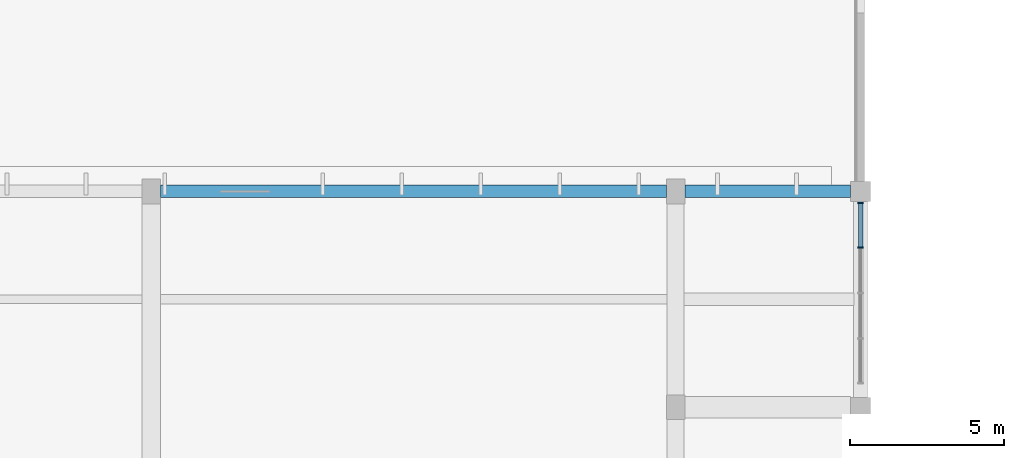
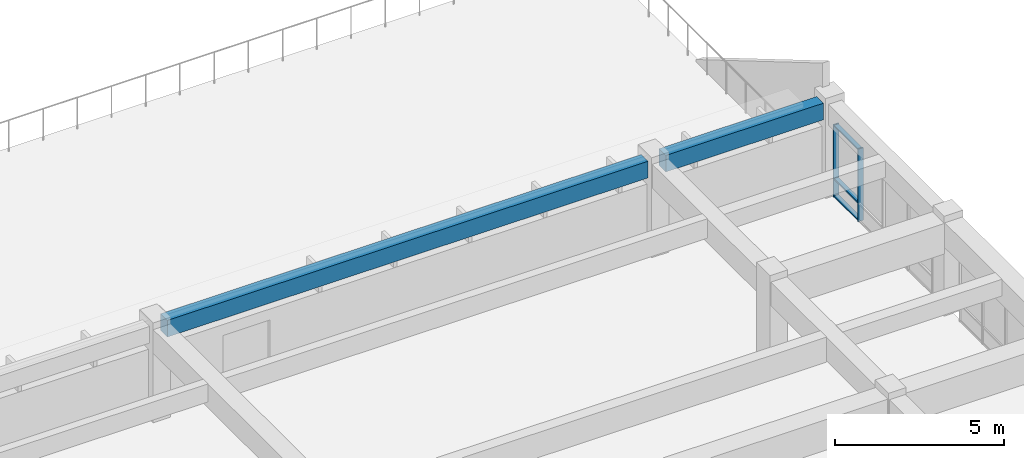
# One storey, part 44 of 77: 5 members, 2 beams, 1 element without a shape of its own.
"""IFC4 building model written with IfcOpenShell, lengths in metres."""

from ifc_helpers import new_model, si_unit, direction, frame, origin, origin_2d, place, context, subcontext, project, spatial, rectangle, extrude, material, material_profile, profile_set, type_object, element, aggregate, save


model = new_model("IFC4")

# Units and contexts
model_context = context("Model", 3, precision=1e-05, world=origin(), true_north=direction((0.0, 1.0)))
body_context = subcontext(model_context, "Body", "Model", "MODEL_VIEW")
ifc_project = project(units=[si_unit("LENGTHUNIT", "METRE"), si_unit("AREAUNIT", "SQUARE_METRE"), si_unit("VOLUMEUNIT", "CUBIC_METRE"), si_unit("PLANEANGLEUNIT", "RADIAN"), si_unit("MASSUNIT", "GRAM", prefix="KILO")], contexts=[model_context])

# Site, building, storey
site_placement = place(None, origin())
site = spatial("IfcSite", under=ifc_project, at=site_placement, CompositionType="ELEMENT")
building_placement = place(site_placement, origin())
building = spatial("IfcBuilding", under=site, at=building_placement, Name="Larkveld Mobility Hub", CompositionType="ELEMENT")
storey_placement = place(building_placement, frame((0.0, 0.0, 12.0)))
storey = spatial("IfcBuildingStorey", under=building, at=storey_placement, Name="L03", CompositionType="ELEMENT", Elevation=12.0)

# Beams
ifc_material_1 = material(Name="Concrete C40/50", Category="concrete")
ifc_material_profile_1 = material_profile(ifc_material_1, rectangle(XDim=0.39990234375, YDim=0.60009765625, at=origin_2d()), Name="RC BM 400x600")
ifc_profile_set_1 = profile_set([ifc_material_profile_1], Name="Concrete C40/50")
beam_type = type_object("IfcBeamType", Name="BM-RC4060", PredefinedType="BEAM", material=ifc_profile_set_1)
beam_1_placement = place(storey_placement, frame((129.300048828125, 98.0, 3.06005859375), z_axis=(1.0, 0.0, 0.0), x_axis=(0.0, 1.0, 0.0)))
element("IfcBeam", 1, at=beam_1_placement, inside=storey, type_object=beam_type, Name="Primary E-W Girder L03-0753", PredefinedType="BEAM", context=body_context, shape_type="SweptSolid", body=[
    extrude(rectangle(XDim=0.39990234375, YDim=0.60009765625, at=origin_2d()), origin(), (0.0, 0.0, 1.0), 16.39990234375),
])
beam_2_placement = place(storey_placement, frame((146.300048828125, 98.0, 3.06005859375), z_axis=(1.0, 0.0, 0.0), x_axis=(0.0, 1.0, 0.0)))
element("IfcBeam", 2, at=beam_2_placement, inside=storey, type_object=beam_type, Name="Primary E-W Girder L03-0754", PredefinedType="BEAM", context=body_context, shape_type="SweptSolid", body=[
    extrude(rectangle(XDim=0.39990234375, YDim=0.60009765625, at=origin_2d()), origin(), (0.0, 0.0, 1.0), 5.375),
])

# Curtain wall, members
ifc_material_2 = material(Name="Anodised aluminium 6063-T6", Category="aluminium")
curtain_wall_type = type_object("IfcCurtainWallType", Name="CW-SYS-10", PredefinedType="NOTDEFINED", material=ifc_material_2)
curtain_wall_placement = place(storey_placement, origin())
curtain_wall = element("IfcCurtainWall", 3, at=curtain_wall_placement, inside=storey, type_object=curtain_wall_type, Name="Upper Mobility and Sports East Glazing L03 CW-154", PredefinedType="NOTDEFINED")
ifc_material_profile_2 = material_profile(ifc_material_2, rectangle(XDim=0.050048828125, YDim=0.179931640625, at=origin_2d()), Name="ALU MULL 50x180")
ifc_profile_set_2 = profile_set([ifc_material_profile_2], Name="Anodised aluminium 6063-T6")
member_type_1 = type_object("IfcMemberType", Name="CW-MUL-02", PredefinedType="MULLION", material=ifc_profile_set_2)
member_1_placement = place(storey_placement, frame((152.0, 96.178955078125, -0.001953125), z_axis=(0.0, 0.0, 1.0), x_axis=(0.0, 1.0, 0.0)))
member_1 = element("IfcMember", 4, at=member_1_placement, type_object=member_type_1, Name="CW10 mullion 4", PredefinedType="MULLION", context=body_context, shape_type="SweptSolid", body=[
    extrude(rectangle(XDim=0.050048828125, YDim=0.179931640625, at=origin_2d()), origin(), (0.0, 0.0, 1.0), 2.612060546875),
])
member_2_placement = place(storey_placement, frame((152.0, 97.625, -0.001953125), z_axis=(0.0, 0.0, 1.0), x_axis=(0.0, 1.0, 0.0)))
member_2 = element("IfcMember", 5, at=member_2_placement, type_object=member_type_1, Name="CW10 mullion 5", PredefinedType="MULLION", context=body_context, shape_type="SweptSolid", body=[
    extrude(rectangle(XDim=0.050048828125, YDim=0.179931640625, at=origin_2d()), origin(), (0.0, 0.0, 1.0), 2.612060546875),
])
ifc_material_profile_3 = material_profile(ifc_material_2, rectangle(XDim=0.14990234375, YDim=0.050048828125, at=origin_2d()), Name="ALU TRAN 50x150")
ifc_profile_set_3 = profile_set([ifc_material_profile_3], Name="Anodised aluminium 6063-T6")
member_type_2 = type_object("IfcMemberType", Name="CW-TRN-02", PredefinedType="USERDEFINED", material=ifc_profile_set_3)
member_3_placement = place(storey_placement, frame((152.0, 96.194091796875, 0.030029296875), z_axis=(0.0, 1.0, 0.0), x_axis=(-1.0, 0.0, 0.0)))
member_3 = element("IfcMember", 6, at=member_3_placement, type_object=member_type_2, Name="CW10 transom 4.1", ObjectType="TRANSOM", PredefinedType="USERDEFINED", context=body_context, shape_type="SweptSolid", body=[
    extrude(rectangle(XDim=0.14990234375, YDim=0.050048828125, at=origin_2d()), origin(), (0.0, 0.0, 1.0), 1.4208984375),
])
member_4_placement = place(storey_placement, frame((152.0, 96.194091796875, 0.652099609375), z_axis=(0.0, 1.0, 0.0), x_axis=(-1.0, 0.0, 0.0)))
member_4 = element("IfcMember", 7, at=member_4_placement, type_object=member_type_2, Name="CW10 transom 4.2", ObjectType="TRANSOM", PredefinedType="USERDEFINED", context=body_context, shape_type="SweptSolid", body=[
    extrude(rectangle(XDim=0.14990234375, YDim=0.050048828125, at=origin_2d()), origin(), (0.0, 0.0, 1.0), 1.4208984375),
])
member_5_placement = place(storey_placement, frame((152.0, 96.194091796875, 2.577880859375), z_axis=(0.0, 1.0, 0.0), x_axis=(-1.0, 0.0, 0.0)))
member_5 = element("IfcMember", 8, at=member_5_placement, type_object=member_type_2, Name="CW10 transom 4.3", ObjectType="TRANSOM", PredefinedType="USERDEFINED", context=body_context, shape_type="SweptSolid", body=[
    extrude(rectangle(XDim=0.14990234375, YDim=0.050048828125, at=origin_2d()), origin(), (0.0, 0.0, 1.0), 1.4208984375),
])
aggregate(curtain_wall, [member_1, member_2, member_3, member_4, member_5])

save(model, "model.ifc")
